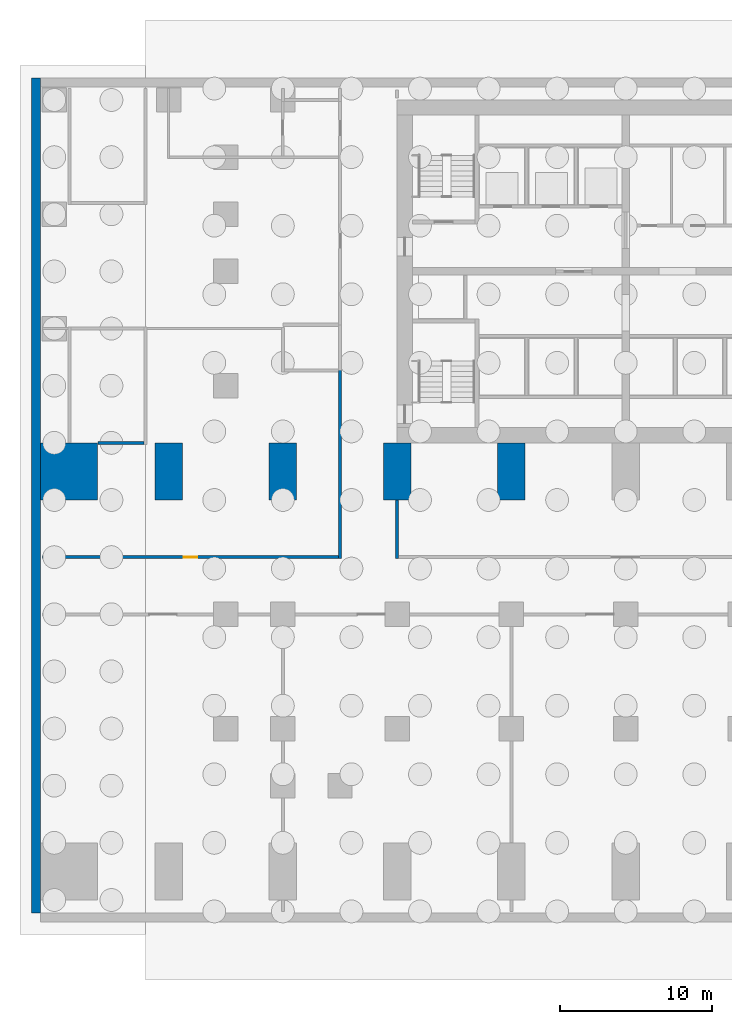
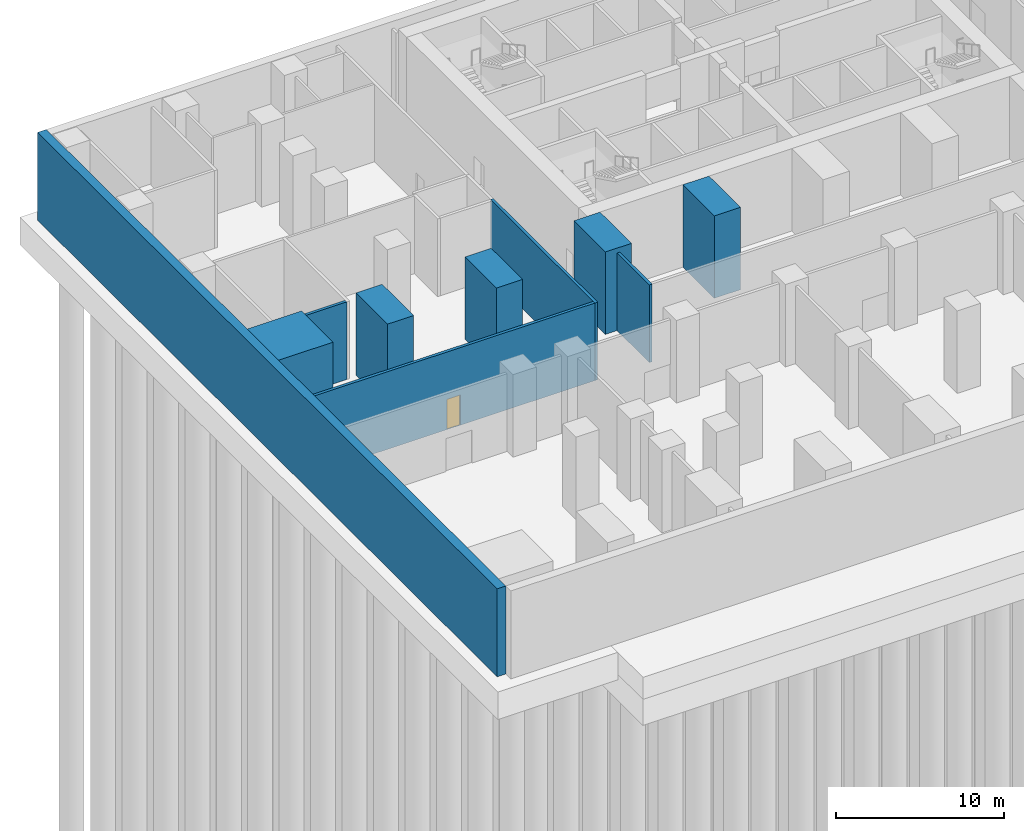
# One storey, part 3 of 9: 10 walls, 1 door, 1 opening.
"""IFC4 building model written with IfcOpenShell, lengths in metres."""

import ifcopenshell
import ifcopenshell.guid

model = None  # the IFC model being written
_history = None  # IfcOwnerHistory: only IFC2X3 demands one
_inside = {}  # id of a spatial element -> (the spatial element, [elements in it])
_under = {}  # id of a project, library or spatial element -> (it, [spatial elements below it])
_declared = {}  # id of a project -> (the project, [libraries it declares])
_typed = {}  # id of a type object -> (the type object, [elements of that type])
_made_of = {}  # id of a material, layer set ... -> (it, [elements and type objects made of it])


def new_model(schema):
    """Start an empty IFC model of exactly this schema.

    Asked for "IFC4X3", IfcOpenShell would pick the latest addendum, in which some entities
    have other attributes; the version numbers below select the first issue.
    IFC2X3 requires an IfcOwnerHistory on every rooted entity: one is made here for all.
    """
    global model, _history
    if schema == "IFC4X3":
        model = ifcopenshell.file(schema_version=(4, 3, 0, 0))
    else:
        model = ifcopenshell.file(schema=schema)
    _inside.clear()
    _under.clear()
    _declared.clear()
    _typed.clear()
    _made_of.clear()
    _history = None
    if model.schema == "IFC2X3":
        org = make("IfcOrganization", Name="unknown")
        user = make(
            "IfcPersonAndOrganization",
            ThePerson=make("IfcPerson", FamilyName="unknown"),
            TheOrganization=org,
        )
        app = make(
            "IfcApplication",
            ApplicationDeveloper=org,
            Version="unknown",
            ApplicationFullName="unknown",
            ApplicationIdentifier="unknown",
        )
        _history = make(
            "IfcOwnerHistory",
            OwningUser=user,
            OwningApplication=app,
            ChangeAction="ADDED",
            CreationDate=0,
        )
    return model


def make(cls, **values):
    """One entity of the class cls with the attributes given. An attribute that is None is left unset."""
    return model.create_entity(
        cls, **{name: value for name, value in values.items() if value is not None}
    )


def rooted(cls, **values):
    """An entity with a GlobalId (a new one), such as an element, a storey or a relation."""
    return make(cls, GlobalId=ifcopenshell.guid.new(), OwnerHistory=_history, **values)


def si_unit(unit_type, name, prefix=None):
    """IfcSIUnit, for example si_unit("LENGTHUNIT", "METRE", prefix="MILLI")."""
    return make("IfcSIUnit", UnitType=unit_type, Prefix=prefix, Name=name)


def assignment(units):
    """IfcUnitAssignment: the units of a project."""
    return None if units is None else make("IfcUnitAssignment", Units=units)


def point(xyz):
    """IfcCartesianPoint."""
    return None if xyz is None else make("IfcCartesianPoint", Coordinates=xyz)


def direction(xyz):
    """IfcDirection."""
    return None if xyz is None else make("IfcDirection", DirectionRatios=xyz)


def frame(location, z_axis=None, x_axis=None):
    """IfcAxis2Placement3D, a coordinate frame: its origin and axes. An axis left out is left unset."""
    return make(
        "IfcAxis2Placement3D",
        Location=point(location),
        Axis=direction(z_axis),
        RefDirection=direction(x_axis),
    )


def frame_2d(location, x_axis=None):
    """IfcAxis2Placement2D, a coordinate frame in the plane: its origin and x axis."""
    return make(
        "IfcAxis2Placement2D", Location=point(location), RefDirection=direction(x_axis)
    )


def origin():
    """The frame at (0, 0, 0) with its axes left unset."""
    return frame((0.0, 0.0, 0.0))


def place(relative_to, where):
    """IfcLocalPlacement: puts the frame where relative to a parent placement (None: the world)."""
    return make(
        "IfcLocalPlacement", PlacementRelTo=relative_to, RelativePlacement=where
    )


def context(
    kind, dimensions, precision=None, world=None, true_north=None, identifier=None
):
    """IfcGeometricRepresentationContext, for example the 3D "Model" context."""
    return make(
        "IfcGeometricRepresentationContext",
        ContextIdentifier=identifier,
        ContextType=kind,
        CoordinateSpaceDimension=dimensions,
        Precision=precision,
        WorldCoordinateSystem=world,
        TrueNorth=true_north,
    )


def subcontext(parent, identifier, kind, view, scale=None):
    """IfcGeometricRepresentationSubContext, for example "Body" below "Model"."""
    return make(
        "IfcGeometricRepresentationSubContext",
        ContextIdentifier=identifier,
        ContextType=kind,
        ParentContext=parent,
        TargetScale=scale,
        TargetView=view,
    )


def project(units=None, contexts=None):
    """IfcProject with its units and contexts."""
    return rooted(
        "IfcProject",
        Name="project",
        RepresentationContexts=contexts,
        UnitsInContext=assignment(units),
    )


def spatial(cls, under=None, at=None, **own):
    """A site, building, storey or space (cls), placed at a placement, below another one or the project."""
    s = rooted(cls, ObjectPlacement=at, **own)
    if under is not None:
        _under.setdefault(under.id(), (under, []))[1].append(s)
    return s


def profile(cls, at=None, kind="AREA", **sizes):
    """A parametric profile (cls). Its sizes go by their IFC names, for example OverallWidth=200.0."""
    return make(cls, ProfileType=kind, Position=at, **sizes)


def rectangle(**sizes):
    """IfcRectangleProfileDef."""
    return profile("IfcRectangleProfileDef", **sizes)


def extrude(swept, where, along, depth):
    """IfcExtrudedAreaSolid: the profile swept, set in the frame where, extruded along a direction by depth."""
    return make(
        "IfcExtrudedAreaSolid",
        SweptArea=swept,
        Position=where,
        ExtrudedDirection=direction(along),
        Depth=depth,
    )


def shape(context_of_items, identifier, shape_type, items):
    """IfcShapeRepresentation: the items that make up one representation, for example the "Body"."""
    return make(
        "IfcShapeRepresentation",
        ContextOfItems=context_of_items,
        RepresentationIdentifier=identifier,
        RepresentationType=shape_type,
        Items=items,
    )


def material(Name=None, Category=None):
    """IfcMaterial."""
    return make("IfcMaterial", Name=Name, Category=Category)


def layer(
    of_material, thickness, ventilated=None, Name=None, Category=None, Priority=None
):
    """IfcMaterialLayer: one layer of a wall or slab, of a material (None: an air gap)."""
    return make(
        "IfcMaterialLayer",
        Material=of_material,
        LayerThickness=thickness,
        IsVentilated=ventilated,
        Name=Name,
        Category=Category,
        Priority=Priority,
    )


def layer_set(layers, Name=None):
    """IfcMaterialLayerSet."""
    return make("IfcMaterialLayerSet", MaterialLayers=layers, LayerSetName=Name)


def made_of(thing, what):
    """Note that an element or type object is made of a material, layer set ...; save() writes the relation."""
    if what is not None:
        _made_of.setdefault(what.id(), (what, []))[1].append(thing)
    return thing


def type_object(cls, material=None, **own):
    """A type object (cls), such as IfcWallType, which elements share."""
    return made_of(rooted(cls, **own), material)


def element(
    cls,
    number,
    at=None,
    inside=None,
    cuts=None,
    type_object=None,
    material=None,
    context=None,
    identifier="Body",
    shape_type=None,
    held_by="IfcProductDefinitionShape",
    body=None,
    shapes=None,
    **own,
):
    """One element of the class cls, such as IfcWall. Its Tag is "e" and its number.

    at: its placement. inside: the storey or other place that contains it. cuts: it is an
    opening in that element (IfcRelVoidsElement). A single representation is given by context,
    identifier, shape_type and body (its items); several are given by shapes. held_by: the class
    of the entity that holds the representations. save() writes the other relations.
    """
    e = rooted(cls, Tag="e%d" % number, ObjectPlacement=at, **own)
    if body is not None:
        shapes = [shape(context, identifier, shape_type, body)]
    if shapes is not None:
        e.Representation = make(held_by, Representations=shapes)
    if inside is not None:
        _inside.setdefault(inside.id(), (inside, []))[1].append(e)
    if cuts is not None:
        rooted(
            "IfcRelVoidsElement", RelatingBuildingElement=cuts, RelatedOpeningElement=e
        )
    if type_object is not None:
        _typed.setdefault(type_object.id(), (type_object, []))[1].append(e)
    return made_of(e, material)


def fill(opening, filler):
    """IfcRelFillsElement: the door or window that sits in an opening."""
    return rooted(
        "IfcRelFillsElement",
        RelatingOpeningElement=opening,
        RelatedBuildingElement=filler,
    )


def aggregate(whole, parts):
    """IfcRelAggregates: a whole, such as a stair, and the parts it consists of."""
    return rooted("IfcRelAggregates", RelatingObject=whole, RelatedObjects=parts)


def save(model, path):
    """Write the relations noted so far, then the file.

    IfcRelAggregates (storeys below a building ...), IfcRelContainedInSpatialStructure (elements
    in a storey), IfcRelDefinesByType, IfcRelAssociatesMaterial and IfcRelDeclares: one each for
    every whole, place, type object, material and project.
    """
    for whole, parts in _under.values():
        aggregate(whole, parts)
    for where, things in _inside.values():
        rooted(
            "IfcRelContainedInSpatialStructure",
            RelatedElements=things,
            RelatingStructure=where,
        )
    for kind, things in _typed.values():
        rooted("IfcRelDefinesByType", RelatedObjects=things, RelatingType=kind)
    for what, things in _made_of.values():
        rooted("IfcRelAssociatesMaterial", RelatedObjects=things, RelatingMaterial=what)
    for by, libraries in _declared.values():
        rooted("IfcRelDeclares", RelatingContext=by, RelatedDefinitions=libraries)
    model.write(path)


model = new_model("IFC4")

# Units and contexts
model_context = context("Model", 3, precision=1e-05, world=origin(), true_north=direction((0.0, 1.0)))
body_context = subcontext(model_context, "Body", "Model", "MODEL_VIEW")
ifc_project = project(units=[si_unit("LENGTHUNIT", "METRE"), si_unit("AREAUNIT", "SQUARE_METRE"), si_unit("VOLUMEUNIT", "CUBIC_METRE"), si_unit("PLANEANGLEUNIT", "RADIAN"), si_unit("MASSUNIT", "GRAM", prefix="KILO")], contexts=[model_context])

# Site, building, storey
site_placement = place(None, origin())
site = spatial("IfcSite", under=ifc_project, at=site_placement, CompositionType="ELEMENT")
building_placement = place(site_placement, origin())
building = spatial("IfcBuilding", under=site, at=building_placement, Name="Pilkhan Gate Tower", CompositionType="ELEMENT")
storey_placement = place(building_placement, frame((0.0, 0.0, -6.0)))
storey = spatial("IfcBuildingStorey", under=building, at=storey_placement, Name="B1", CompositionType="ELEMENT", Elevation=-6.0)

# Walls
ifc_material_1 = material(Name="Concrete C70/85", Category="concrete")
ifc_layer_1 = layer(ifc_material_1, 1.800048828125)
ifc_layer_set_1 = layer_set([ifc_layer_1], Name="Arch pier AP1800 C70/85")
wall_type_1 = type_object("IfcWallType", Name="Arch pier AP1800 C70/85", PredefinedType="SHEAR", material=ifc_layer_set_1)
for number, where, z_axis, x_axis, name in (
    (1, (45.0, 67.5, 0.0), (0.0, 0.0, 1.0), (0.0, 1.0, 0.0), "Arch pier N-4 B1"),
    (2, (52.5, 67.5, 0.0), (0.0, 0.0, 1.0), (0.0, 1.0, 0.0), "Arch pier N-3 B1"),
    (3, (60.0, 67.5, 0.0), (0.0, 0.0, 1.0), (0.0, 1.0, 0.0), "Arch pier N-2 B1"),
    (4, (67.5, 67.5, 0.0), (0.0, 0.0, 1.0), (0.0, 1.0, 0.0), "Arch pier N-1 B1"),
):
    element("IfcWall", number, at=place(storey_placement, frame(where, z_axis=z_axis, x_axis=x_axis)), inside=storey, type_object=wall_type_1, Name=name, PredefinedType="SHEAR", context=body_context, shape_type="SweptSolid", body=[
        extrude(rectangle(XDim=3.75, YDim=1.800048828125, at=frame_2d((1.875, 0.0))), origin(), (0.0, 0.0, 1.0), 6.0),
    ])
ifc_layer_2 = layer(ifc_material_1, 3.75)
ifc_layer_set_2 = layer_set([ifc_layer_2], Name="Arch pier AP3750 C70/85")
wall_type_2 = type_object("IfcWallType", Name="Arch pier AP3750 C70/85", PredefinedType="SHEAR", material=ifc_layer_set_2)
wall_1_placement = place(storey_placement, frame((38.47509765625, 67.5, 0.0), z_axis=(0.0, 0.0, 1.0), x_axis=(0.0, 1.0, 0.0)))
element("IfcWall", 5, at=wall_1_placement, inside=storey, type_object=wall_type_2, Name="Arch pier N-5 B1", PredefinedType="SHEAR", context=body_context, shape_type="SweptSolid", body=[
    extrude(rectangle(XDim=3.75, YDim=3.75, at=frame_2d((1.875, 0.0))), origin(), (0.0, 0.0, 1.0), 6.0),
])

# Wall, opening, door
ifc_material_2 = material(Name="Dense blockwork", Category="masonry")
ifc_layer_3 = layer(ifc_material_2, 0.199951171875)
ifc_layer_set_3 = layer_set([ifc_layer_3], Name="Corridor wall FW200")
wall_type_3 = type_object("IfcWallType", Name="Corridor wall FW200", PredefinedType="PARTITIONING", material=ifc_layer_set_3)
wall_2_placement = place(storey_placement, frame((36.735107421875, 63.75, 0.0), z_axis=(0.0, 0.0, 1.0), x_axis=(1.0, 0.0, 0.0)))
wall_2 = element("IfcWall", 6, at=wall_2_placement, inside=storey, type_object=wall_type_3, Name="Partition B1", PredefinedType="PARTITIONING", context=body_context, shape_type="SweptSolid", body=[
    extrude(rectangle(XDim=19.414794921875, YDim=0.199951171875, at=frame_2d((9.70751953125, 0.0))), origin(), (0.0, 0.0, 1.0), 5.64990234375),
])
opening_placement = place(wall_2_placement, frame((9.25, 0.0, 0.0)))
opening = element("IfcOpeningElement", 7, at=opening_placement, cuts=wall_2, Name="Opening B1-17", PredefinedType="OPENING", context=body_context, shape_type="SweptSolid", body=[
    extrude(rectangle(XDim=0.89990234375, YDim=2.199951171875, at=frame_2d((0.449951171875, 1.10009765625))), frame((0.0, 0.10986328125, 0.0), z_axis=(0.0, -1.0, 0.0), x_axis=(1.0, 0.0, 0.0)), (0.0, 0.0, 1.0), 0.219970703125),
])
ifc_material_3 = material(Name="Timber flush door, 60 minute fire resisting, self-closing", Category="wood")
door_type = type_object("IfcDoorType", Name="Store door D05 900x2200", OperationType="SINGLE_SWING_LEFT", PredefinedType="DOOR", material=ifc_material_3)
door_placement = place(opening_placement, origin())
door = element("IfcDoor", 8, at=door_placement, inside=storey, type_object=door_type, Name="Store door", OperationType="SINGLE_SWING_RIGHT", OverallHeight=2.199951171875, OverallWidth=0.89990234375, PredefinedType="DOOR", context=body_context, shape_type="SweptSolid", body=[
    extrude(rectangle(XDim=0.89990234375, YDim=2.199951171875, at=frame_2d((0.449951171875, 1.10009765625))), frame((0.0, 0.02490234375, 0.0), z_axis=(0.0, -1.0, 0.0), x_axis=(1.0, 0.0, 0.0)), (0.0, 0.0, 1.0), 0.050048828125),
])
fill(opening, door)

# Walls
wall_3_placement = place(storey_placement, frame((56.25, 63.64990234375, 0.0), z_axis=(0.0, 0.0, 1.0), x_axis=(0.0, 1.0, 0.0)))
element("IfcWall", 9, at=wall_3_placement, inside=storey, type_object=wall_type_3, Name="Partition B1", PredefinedType="PARTITIONING", context=body_context, shape_type="SweptSolid", body=[
    extrude(rectangle(XDim=12.4501953125, YDim=0.199951171875, at=frame_2d((6.22509765625, 0.0))), origin(), (0.0, 0.0, 1.0), 5.64990234375),
])
ifc_layer_4 = layer(ifc_material_2, 0.199951171875)
ifc_layer_set_4 = layer_set([ifc_layer_4], Name="Lobby wall LW200")
wall_type_4 = type_object("IfcWallType", Name="Lobby wall LW200", PredefinedType="PARTITIONING", material=ifc_layer_set_4)
wall_4_placement = place(storey_placement, frame((40.360107421875, 71.25, 0.0), z_axis=(0.0, 0.0, 1.0), x_axis=(1.0, 0.0, 0.0)))
element("IfcWall", 10, at=wall_4_placement, inside=storey, type_object=wall_type_4, Name="Partition B1", PredefinedType="PARTITIONING", context=body_context, shape_type="SweptSolid", body=[
    extrude(rectangle(XDim=3.039794921875, YDim=0.199951171875, at=frame_2d((1.52001953125, 0.0))), origin(), (0.0, 0.0, 1.0), 5.64990234375),
])
wall_5_placement = place(storey_placement, frame((60.0, 63.64990234375, 0.0), z_axis=(0.0, 0.0, 1.0), x_axis=(0.0, 1.0, 0.0)))
element("IfcWall", 11, at=wall_5_placement, inside=storey, type_object=wall_type_4, Name="Partition B1", PredefinedType="PARTITIONING", context=body_context, shape_type="SweptSolid", body=[
    extrude(rectangle(XDim=3.840087890625, YDim=0.199951171875, at=frame_2d((1.919921875, 0.0))), origin(), (0.0, 0.0, 1.0), 5.64990234375),
])
ifc_layer_5 = layer(ifc_material_1, 0.60009765625)
ifc_layer_set_5 = layer_set([ifc_layer_5], Name="Retaining wall RW600 C70/85")
wall_type_5 = type_object("IfcWallType", Name="Retaining wall RW600 C70/85", PredefinedType="SOLIDWALL", material=ifc_layer_set_5)
wall_6_placement = place(storey_placement, frame((36.300048828125, 40.39990234375, -0.39990234375), z_axis=(0.0, 0.0, 1.0), x_axis=(0.0, 1.0, 0.0)))
element("IfcWall", 12, at=wall_6_placement, inside=storey, type_object=wall_type_5, Name="Retaining wall W", PredefinedType="SOLIDWALL", context=body_context, shape_type="SweptSolid", body=[
    extrude(rectangle(XDim=54.800048828125, YDim=0.60009765625, at=frame_2d((27.39990234375, 0.0))), origin(), (0.0, 0.0, 1.0), 6.39990234375),
])

save(model, "model.ifc")
